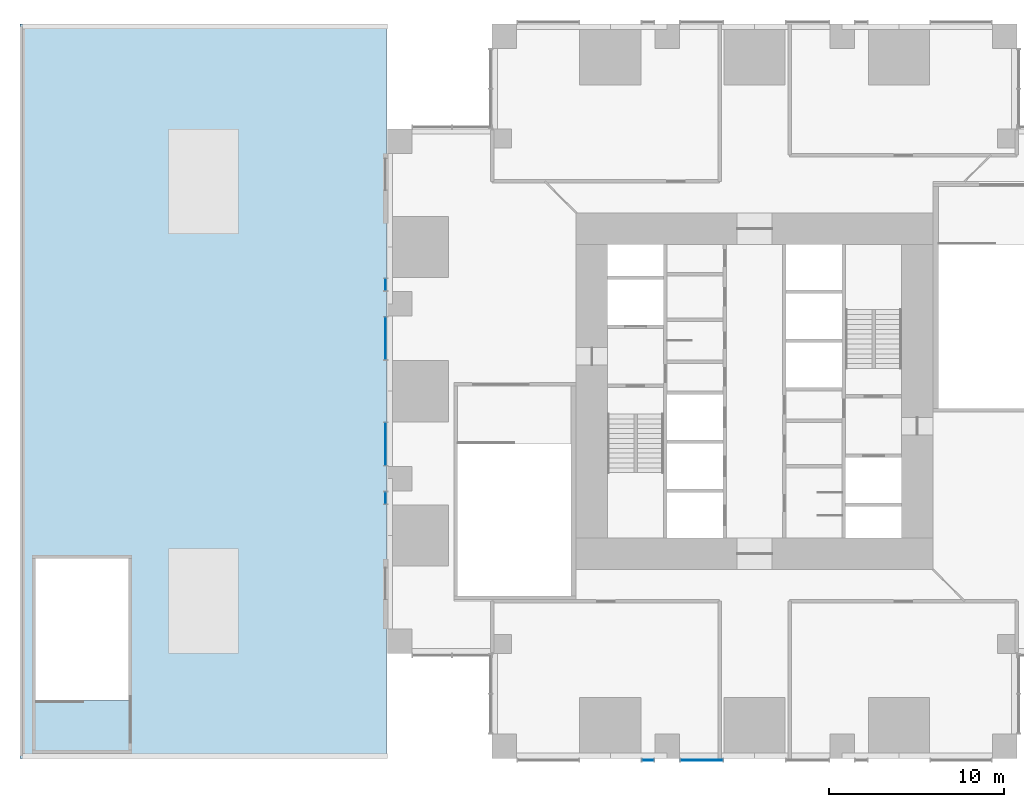
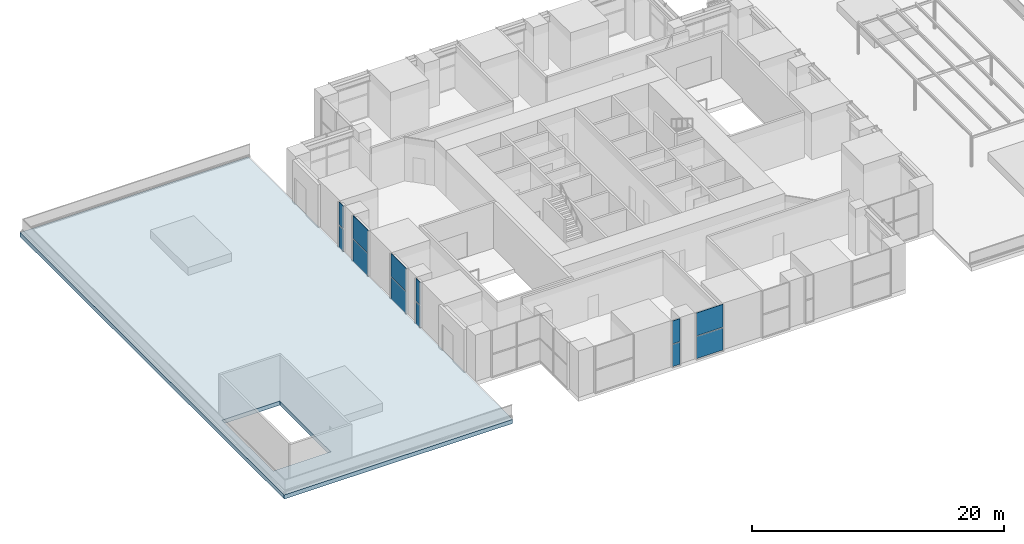
# One storey, part 7 of 14: 12 plates, 1 slab, 6 elements without a shape of their own.
"""IFC4 building model written with IfcOpenShell, lengths in metres."""

import ifcopenshell
import ifcopenshell.guid

model = None  # the IFC model being written
_history = None  # IfcOwnerHistory: only IFC2X3 demands one
_inside = {}  # id of a spatial element -> (the spatial element, [elements in it])
_under = {}  # id of a project, library or spatial element -> (it, [spatial elements below it])
_declared = {}  # id of a project -> (the project, [libraries it declares])
_typed = {}  # id of a type object -> (the type object, [elements of that type])
_made_of = {}  # id of a material, layer set ... -> (it, [elements and type objects made of it])


def new_model(schema):
    """Start an empty IFC model of exactly this schema.

    Asked for "IFC4X3", IfcOpenShell would pick the latest addendum, in which some entities
    have other attributes; the version numbers below select the first issue.
    IFC2X3 requires an IfcOwnerHistory on every rooted entity: one is made here for all.
    """
    global model, _history
    if schema == "IFC4X3":
        model = ifcopenshell.file(schema_version=(4, 3, 0, 0))
    else:
        model = ifcopenshell.file(schema=schema)
    _inside.clear()
    _under.clear()
    _declared.clear()
    _typed.clear()
    _made_of.clear()
    _history = None
    if model.schema == "IFC2X3":
        org = make("IfcOrganization", Name="unknown")
        user = make(
            "IfcPersonAndOrganization",
            ThePerson=make("IfcPerson", FamilyName="unknown"),
            TheOrganization=org,
        )
        app = make(
            "IfcApplication",
            ApplicationDeveloper=org,
            Version="unknown",
            ApplicationFullName="unknown",
            ApplicationIdentifier="unknown",
        )
        _history = make(
            "IfcOwnerHistory",
            OwningUser=user,
            OwningApplication=app,
            ChangeAction="ADDED",
            CreationDate=0,
        )
    return model


def make(cls, **values):
    """One entity of the class cls with the attributes given. An attribute that is None is left unset."""
    return model.create_entity(
        cls, **{name: value for name, value in values.items() if value is not None}
    )


def rooted(cls, **values):
    """An entity with a GlobalId (a new one), such as an element, a storey or a relation."""
    return make(cls, GlobalId=ifcopenshell.guid.new(), OwnerHistory=_history, **values)


def si_unit(unit_type, name, prefix=None):
    """IfcSIUnit, for example si_unit("LENGTHUNIT", "METRE", prefix="MILLI")."""
    return make("IfcSIUnit", UnitType=unit_type, Prefix=prefix, Name=name)


def assignment(units):
    """IfcUnitAssignment: the units of a project."""
    return None if units is None else make("IfcUnitAssignment", Units=units)


def point(xyz):
    """IfcCartesianPoint."""
    return None if xyz is None else make("IfcCartesianPoint", Coordinates=xyz)


def direction(xyz):
    """IfcDirection."""
    return None if xyz is None else make("IfcDirection", DirectionRatios=xyz)


def frame(location, z_axis=None, x_axis=None):
    """IfcAxis2Placement3D, a coordinate frame: its origin and axes. An axis left out is left unset."""
    return make(
        "IfcAxis2Placement3D",
        Location=point(location),
        Axis=direction(z_axis),
        RefDirection=direction(x_axis),
    )


def frame_2d(location, x_axis=None):
    """IfcAxis2Placement2D, a coordinate frame in the plane: its origin and x axis."""
    return make(
        "IfcAxis2Placement2D", Location=point(location), RefDirection=direction(x_axis)
    )


def origin():
    """The frame at (0, 0, 0) with its axes left unset."""
    return frame((0.0, 0.0, 0.0))


def origin_2d():
    """The frame at (0, 0) in the plane with its x axis left unset."""
    return frame_2d((0.0, 0.0))


def place(relative_to, where):
    """IfcLocalPlacement: puts the frame where relative to a parent placement (None: the world)."""
    return make(
        "IfcLocalPlacement", PlacementRelTo=relative_to, RelativePlacement=where
    )


def context(
    kind, dimensions, precision=None, world=None, true_north=None, identifier=None
):
    """IfcGeometricRepresentationContext, for example the 3D "Model" context."""
    return make(
        "IfcGeometricRepresentationContext",
        ContextIdentifier=identifier,
        ContextType=kind,
        CoordinateSpaceDimension=dimensions,
        Precision=precision,
        WorldCoordinateSystem=world,
        TrueNorth=true_north,
    )


def subcontext(parent, identifier, kind, view, scale=None):
    """IfcGeometricRepresentationSubContext, for example "Body" below "Model"."""
    return make(
        "IfcGeometricRepresentationSubContext",
        ContextIdentifier=identifier,
        ContextType=kind,
        ParentContext=parent,
        TargetScale=scale,
        TargetView=view,
    )


def project(units=None, contexts=None):
    """IfcProject with its units and contexts."""
    return rooted(
        "IfcProject",
        Name="project",
        RepresentationContexts=contexts,
        UnitsInContext=assignment(units),
    )


def spatial(cls, under=None, at=None, **own):
    """A site, building, storey or space (cls), placed at a placement, below another one or the project."""
    s = rooted(cls, ObjectPlacement=at, **own)
    if under is not None:
        _under.setdefault(under.id(), (under, []))[1].append(s)
    return s


def polyline(points):
    """IfcPolyline through the points."""
    return make("IfcPolyline", Points=[point(p) for p in points])


def profile(cls, at=None, kind="AREA", **sizes):
    """A parametric profile (cls). Its sizes go by their IFC names, for example OverallWidth=200.0."""
    return make(cls, ProfileType=kind, Position=at, **sizes)


def rectangle(**sizes):
    """IfcRectangleProfileDef."""
    return profile("IfcRectangleProfileDef", **sizes)


def outline(outer, holes=None, kind="AREA"):
    """IfcArbitraryClosedProfileDef: a profile drawn as a closed curve; with holes, ...WithVoids."""
    if holes is None:
        return make("IfcArbitraryClosedProfileDef", ProfileType=kind, OuterCurve=outer)
    return make(
        "IfcArbitraryProfileDefWithVoids",
        ProfileType=kind,
        OuterCurve=outer,
        InnerCurves=holes,
    )


def extrude(swept, where, along, depth):
    """IfcExtrudedAreaSolid: the profile swept, set in the frame where, extruded along a direction by depth."""
    return make(
        "IfcExtrudedAreaSolid",
        SweptArea=swept,
        Position=where,
        ExtrudedDirection=direction(along),
        Depth=depth,
    )


def shape(context_of_items, identifier, shape_type, items):
    """IfcShapeRepresentation: the items that make up one representation, for example the "Body"."""
    return make(
        "IfcShapeRepresentation",
        ContextOfItems=context_of_items,
        RepresentationIdentifier=identifier,
        RepresentationType=shape_type,
        Items=items,
    )


def material(Name=None, Category=None):
    """IfcMaterial."""
    return make("IfcMaterial", Name=Name, Category=Category)


def layer(
    of_material, thickness, ventilated=None, Name=None, Category=None, Priority=None
):
    """IfcMaterialLayer: one layer of a wall or slab, of a material (None: an air gap)."""
    return make(
        "IfcMaterialLayer",
        Material=of_material,
        LayerThickness=thickness,
        IsVentilated=ventilated,
        Name=Name,
        Category=Category,
        Priority=Priority,
    )


def layer_set(layers, Name=None):
    """IfcMaterialLayerSet."""
    return make("IfcMaterialLayerSet", MaterialLayers=layers, LayerSetName=Name)


def made_of(thing, what):
    """Note that an element or type object is made of a material, layer set ...; save() writes the relation."""
    if what is not None:
        _made_of.setdefault(what.id(), (what, []))[1].append(thing)
    return thing


def type_object(cls, material=None, **own):
    """A type object (cls), such as IfcWallType, which elements share."""
    return made_of(rooted(cls, **own), material)


def element(
    cls,
    number,
    at=None,
    inside=None,
    cuts=None,
    type_object=None,
    material=None,
    context=None,
    identifier="Body",
    shape_type=None,
    held_by="IfcProductDefinitionShape",
    body=None,
    shapes=None,
    **own,
):
    """One element of the class cls, such as IfcWall. Its Tag is "e" and its number.

    at: its placement. inside: the storey or other place that contains it. cuts: it is an
    opening in that element (IfcRelVoidsElement). A single representation is given by context,
    identifier, shape_type and body (its items); several are given by shapes. held_by: the class
    of the entity that holds the representations. save() writes the other relations.
    """
    e = rooted(cls, Tag="e%d" % number, ObjectPlacement=at, **own)
    if body is not None:
        shapes = [shape(context, identifier, shape_type, body)]
    if shapes is not None:
        e.Representation = make(held_by, Representations=shapes)
    if inside is not None:
        _inside.setdefault(inside.id(), (inside, []))[1].append(e)
    if cuts is not None:
        rooted(
            "IfcRelVoidsElement", RelatingBuildingElement=cuts, RelatedOpeningElement=e
        )
    if type_object is not None:
        _typed.setdefault(type_object.id(), (type_object, []))[1].append(e)
    return made_of(e, material)


def aggregate(whole, parts):
    """IfcRelAggregates: a whole, such as a stair, and the parts it consists of."""
    return rooted("IfcRelAggregates", RelatingObject=whole, RelatedObjects=parts)


def save(model, path):
    """Write the relations noted so far, then the file.

    IfcRelAggregates (storeys below a building ...), IfcRelContainedInSpatialStructure (elements
    in a storey), IfcRelDefinesByType, IfcRelAssociatesMaterial and IfcRelDeclares: one each for
    every whole, place, type object, material and project.
    """
    for whole, parts in _under.values():
        aggregate(whole, parts)
    for where, things in _inside.values():
        rooted(
            "IfcRelContainedInSpatialStructure",
            RelatedElements=things,
            RelatingStructure=where,
        )
    for kind, things in _typed.values():
        rooted("IfcRelDefinesByType", RelatedObjects=things, RelatingType=kind)
    for what, things in _made_of.values():
        rooted("IfcRelAssociatesMaterial", RelatedObjects=things, RelatingMaterial=what)
    for by, libraries in _declared.values():
        rooted("IfcRelDeclares", RelatingContext=by, RelatedDefinitions=libraries)
    model.write(path)


model = new_model("IFC4")

# Units and contexts
model_context = context("Model", 3, precision=1e-05, world=origin(), true_north=direction((0.0, 1.0)))
body_context = subcontext(model_context, "Body", "Model", "MODEL_VIEW")
ifc_project = project(units=[si_unit("LENGTHUNIT", "METRE"), si_unit("AREAUNIT", "SQUARE_METRE"), si_unit("VOLUMEUNIT", "CUBIC_METRE"), si_unit("PLANEANGLEUNIT", "RADIAN"), si_unit("MASSUNIT", "GRAM", prefix="KILO")], contexts=[model_context])

# Site, building, storey
site_placement = place(None, origin())
site = spatial("IfcSite", under=ifc_project, at=site_placement, CompositionType="ELEMENT")
building_placement = place(site_placement, origin())
building = spatial("IfcBuilding", under=site, at=building_placement, Name="Svetlomir Tower", CompositionType="ELEMENT")
storey_placement = place(building_placement, frame((0.0, 0.0, 18.0)))
storey = spatial("IfcBuildingStorey", under=building, at=storey_placement, Name="L03", CompositionType="ELEMENT", Elevation=18.0)

# Curtain wall, plates
ifc_material_1 = material(Name="Bronze anodised aluminium curtain wall", Category="aluminium")
curtain_wall_type = type_object("IfcCurtainWallType", Name="CURTAIN WALL CW2 SKY LOBBY", PredefinedType="NOTDEFINED", material=ifc_material_1)
curtain_wall_1_placement = place(storey_placement, origin())
curtain_wall_1 = element("IfcCurtainWall", 1, at=curtain_wall_1_placement, inside=storey, type_object=curtain_wall_type, Name="Curtain wall CW2 L03", PredefinedType="NOTDEFINED")
ifc_material_2 = material(Name="Tinted double glazed unit", Category="glass")
ifc_layer_1 = layer(ifc_material_2, 0.035888671875)
ifc_layer_set_1 = layer_set([ifc_layer_1], Name="Tinted double glazed unit")
plate_type = type_object("IfcPlateType", Name="CW2 GLAZED PANEL 36", PredefinedType="CURTAIN_PANEL", material=ifc_layer_set_1)
plate_1_placement = place(storey_placement, frame((14.89990234375, -0.10009765625, 0.06494140625), z_axis=(0.0, 0.0, 1.0), x_axis=(1.0, 0.0, 0.0)))
plate_1 = element("IfcPlate", 2, at=plate_1_placement, type_object=plate_type, Name="CW2 panel 1.1", PredefinedType="CURTAIN_PANEL", context=body_context, shape_type="SweptSolid", body=[
    extrude(rectangle(XDim=0.669921875, YDim=0.035888671875, at=origin_2d()), origin(), (0.0, 0.0, 1.0), 2.152587890625),
])
plate_2_placement = place(storey_placement, frame((14.89990234375, -0.10009765625, 2.28271484375), z_axis=(0.0, 0.0, 1.0), x_axis=(1.0, 0.0, 0.0)))
plate_2 = element("IfcPlate", 3, at=plate_2_placement, type_object=plate_type, Name="CW2 panel 1.2", PredefinedType="CURTAIN_PANEL", context=body_context, shape_type="SweptSolid", body=[
    extrude(rectangle(XDim=0.669921875, YDim=0.035888671875, at=origin_2d()), origin(), (0.0, 0.0, 1.0), 2.217529296875),
])
aggregate(curtain_wall_1, [plate_1, plate_2])

curtain_wall_2_placement = place(storey_placement, origin())
curtain_wall_2 = element("IfcCurtainWall", 4, at=curtain_wall_2_placement, inside=storey, type_object=curtain_wall_type, Name="Curtain wall CW2 L03", PredefinedType="NOTDEFINED")
plate_3_placement = place(storey_placement, frame((17.97509765625, -0.10009765625, 0.06494140625), z_axis=(0.0, 0.0, 1.0), x_axis=(1.0, 0.0, 0.0)))
plate_3 = element("IfcPlate", 5, at=plate_3_placement, type_object=plate_type, Name="CW2 panel 1.1", PredefinedType="CURTAIN_PANEL", context=body_context, shape_type="SweptSolid", body=[
    extrude(rectangle(XDim=2.419921875, YDim=0.035888671875, at=origin_2d()), origin(), (0.0, 0.0, 1.0), 2.152587890625),
])
plate_4_placement = place(storey_placement, frame((17.97509765625, -0.10009765625, 2.28271484375), z_axis=(0.0, 0.0, 1.0), x_axis=(1.0, 0.0, 0.0)))
plate_4 = element("IfcPlate", 6, at=plate_4_placement, type_object=plate_type, Name="CW2 panel 1.2", PredefinedType="CURTAIN_PANEL", context=body_context, shape_type="SweptSolid", body=[
    extrude(rectangle(XDim=2.419921875, YDim=0.035888671875, at=origin_2d()), origin(), (0.0, 0.0, 1.0), 2.217529296875),
])
aggregate(curtain_wall_2, [plate_3, plate_4])

curtain_wall_3_placement = place(storey_placement, origin())
curtain_wall_3 = element("IfcCurtainWall", 7, at=curtain_wall_3_placement, inside=storey, type_object=curtain_wall_type, Name="Curtain wall CW2 L03", PredefinedType="NOTDEFINED")
plate_5_placement = place(storey_placement, frame((-0.10009765625, 27.10009765625, 0.06494140625), z_axis=(0.0, 0.0, 1.0), x_axis=(0.0, -1.0, 0.0)))
plate_5 = element("IfcPlate", 8, at=plate_5_placement, type_object=plate_type, Name="CW2 panel 1.1", PredefinedType="CURTAIN_PANEL", context=body_context, shape_type="SweptSolid", body=[
    extrude(rectangle(XDim=0.669921875, YDim=0.035888671875, at=origin_2d()), origin(), (0.0, 0.0, 1.0), 2.152587890625),
])
plate_6_placement = place(storey_placement, frame((-0.10009765625, 27.10009765625, 2.28271484375), z_axis=(0.0, 0.0, 1.0), x_axis=(0.0, -1.0, 0.0)))
plate_6 = element("IfcPlate", 9, at=plate_6_placement, type_object=plate_type, Name="CW2 panel 1.2", PredefinedType="CURTAIN_PANEL", context=body_context, shape_type="SweptSolid", body=[
    extrude(rectangle(XDim=0.669921875, YDim=0.035888671875, at=origin_2d()), origin(), (0.0, 0.0, 1.0), 2.217529296875),
])
aggregate(curtain_wall_3, [plate_5, plate_6])

curtain_wall_4_placement = place(storey_placement, origin())
curtain_wall_4 = element("IfcCurtainWall", 10, at=curtain_wall_4_placement, inside=storey, type_object=curtain_wall_type, Name="Curtain wall CW2 L03", PredefinedType="NOTDEFINED")
plate_7_placement = place(storey_placement, frame((-0.10009765625, 24.02490234375, 0.06494140625), z_axis=(0.0, 0.0, 1.0), x_axis=(0.0, -1.0, 0.0)))
plate_7 = element("IfcPlate", 11, at=plate_7_placement, type_object=plate_type, Name="CW2 panel 1.1", PredefinedType="CURTAIN_PANEL", context=body_context, shape_type="SweptSolid", body=[
    extrude(rectangle(XDim=2.419921875, YDim=0.035888671875, at=origin_2d()), origin(), (0.0, 0.0, 1.0), 2.152587890625),
])
plate_8_placement = place(storey_placement, frame((-0.10009765625, 24.02490234375, 2.28271484375), z_axis=(0.0, 0.0, 1.0), x_axis=(0.0, -1.0, 0.0)))
plate_8 = element("IfcPlate", 12, at=plate_8_placement, type_object=plate_type, Name="CW2 panel 1.2", PredefinedType="CURTAIN_PANEL", context=body_context, shape_type="SweptSolid", body=[
    extrude(rectangle(XDim=2.419921875, YDim=0.035888671875, at=origin_2d()), origin(), (0.0, 0.0, 1.0), 2.217529296875),
])
aggregate(curtain_wall_4, [plate_7, plate_8])

curtain_wall_5_placement = place(storey_placement, origin())
curtain_wall_5 = element("IfcCurtainWall", 13, at=curtain_wall_5_placement, inside=storey, type_object=curtain_wall_type, Name="Curtain wall CW2 L03", PredefinedType="NOTDEFINED")
plate_9_placement = place(storey_placement, frame((-0.10009765625, 17.97509765625, 0.06494140625), z_axis=(0.0, 0.0, 1.0), x_axis=(0.0, -1.0, 0.0)))
plate_9 = element("IfcPlate", 14, at=plate_9_placement, type_object=plate_type, Name="CW2 panel 1.1", PredefinedType="CURTAIN_PANEL", context=body_context, shape_type="SweptSolid", body=[
    extrude(rectangle(XDim=2.419921875, YDim=0.035888671875, at=origin_2d()), origin(), (0.0, 0.0, 1.0), 2.152587890625),
])
plate_10_placement = place(storey_placement, frame((-0.10009765625, 17.97509765625, 2.28271484375), z_axis=(0.0, 0.0, 1.0), x_axis=(0.0, -1.0, 0.0)))
plate_10 = element("IfcPlate", 15, at=plate_10_placement, type_object=plate_type, Name="CW2 panel 1.2", PredefinedType="CURTAIN_PANEL", context=body_context, shape_type="SweptSolid", body=[
    extrude(rectangle(XDim=2.419921875, YDim=0.035888671875, at=origin_2d()), origin(), (0.0, 0.0, 1.0), 2.217529296875),
])
aggregate(curtain_wall_5, [plate_9, plate_10])

curtain_wall_6_placement = place(storey_placement, origin())
curtain_wall_6 = element("IfcCurtainWall", 16, at=curtain_wall_6_placement, inside=storey, type_object=curtain_wall_type, Name="Curtain wall CW2 L03", PredefinedType="NOTDEFINED")
plate_11_placement = place(storey_placement, frame((-0.10009765625, 14.89990234375, 0.06494140625), z_axis=(0.0, 0.0, 1.0), x_axis=(0.0, -1.0, 0.0)))
plate_11 = element("IfcPlate", 17, at=plate_11_placement, type_object=plate_type, Name="CW2 panel 1.1", PredefinedType="CURTAIN_PANEL", context=body_context, shape_type="SweptSolid", body=[
    extrude(rectangle(XDim=0.669921875, YDim=0.035888671875, at=origin_2d()), origin(), (0.0, 0.0, 1.0), 2.152587890625),
])
plate_12_placement = place(storey_placement, frame((-0.10009765625, 14.89990234375, 2.28271484375), z_axis=(0.0, 0.0, 1.0), x_axis=(0.0, -1.0, 0.0)))
plate_12 = element("IfcPlate", 18, at=plate_12_placement, type_object=plate_type, Name="CW2 panel 1.2", PredefinedType="CURTAIN_PANEL", context=body_context, shape_type="SweptSolid", body=[
    extrude(rectangle(XDim=0.669921875, YDim=0.035888671875, at=origin_2d()), origin(), (0.0, 0.0, 1.0), 2.217529296875),
])
aggregate(curtain_wall_6, [plate_11, plate_12])

# Slab
ifc_material_3 = material(Name="Concrete C60/75", Category="concrete")
ifc_layer_2 = layer(ifc_material_3, 0.39990234375)
ifc_layer_set_2 = layer_set([ifc_layer_2], Name="Concrete C60/75")
slab_type = type_object("IfcSlabType", Name="ROOF TERRACE SLAB 400", PredefinedType="ROOF", material=ifc_layer_set_2)
slab_placement = place(storey_placement, frame((0.0, 0.0, -0.39990234375)))
element("IfcSlab", 19, at=slab_placement, inside=storey, type_object=slab_type, Name="West roof terrace", PredefinedType="ROOF", context=body_context, shape_type="SweptSolid", body=[
    extrude(outline(polyline([(-21.0, 0.0), (-0.050048828125, 0.0), (-0.050048828125, 42.0), (-21.0, 42.0), (-21.0, 0.0)]), holes=[polyline([(-20.10009765625, 3.320068359375), (-14.800048828125, 3.320068359375), (-14.800048828125, 11.449951171875), (-20.10009765625, 11.449951171875), (-20.10009765625, 3.320068359375)])]), origin(), (0.0, 0.0, 1.0), 0.39990234375),
])

save(model, "model.ifc")
